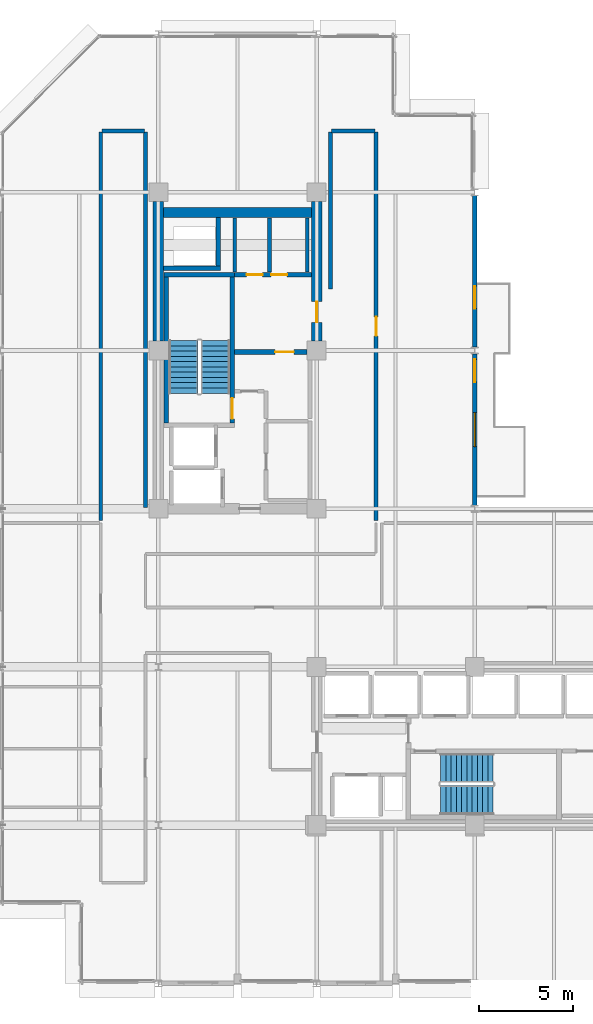
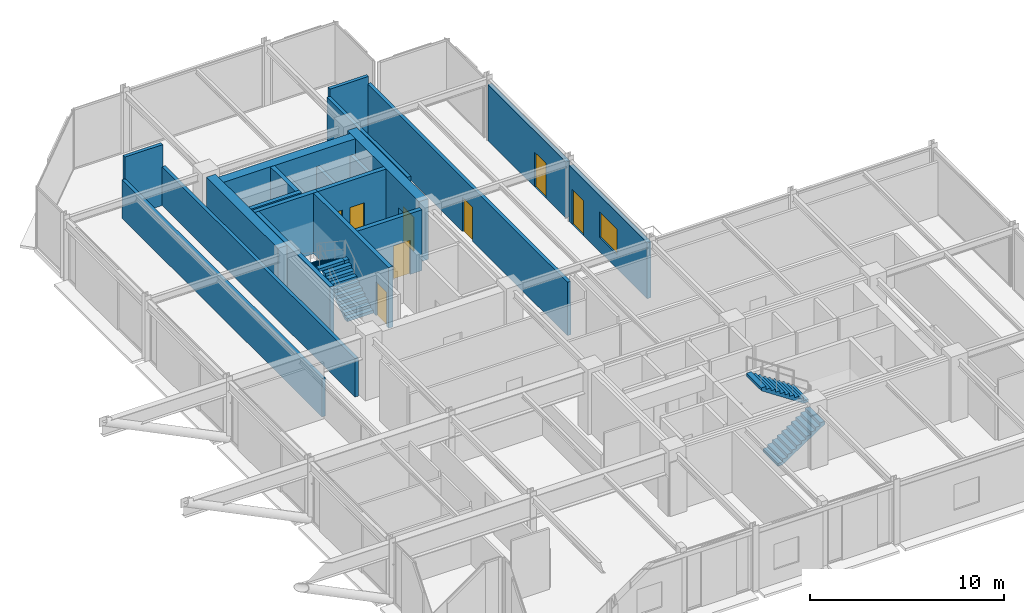
# One storey, part 27 of 30: 21 walls, 8 doors, 4 stair flights, 1 window, 9 openings, 2 elements without a shape of their own.
"""IFC4 building model written with IfcOpenShell, lengths in metres."""

from ifc_helpers import new_model, si_unit, direction, frame, frame_2d, origin, place, context, subcontext, project, spatial, polyline, rectangle, outline, extrude, material, layer, layer_set, type_object, element, fill, aggregate, save


model = new_model("IFC4")

# Units and contexts
model_context = context("Model", 3, precision=1e-05, world=origin(), true_north=direction((0.0, 1.0)))
body_context = subcontext(model_context, "Body", "Model", "MODEL_VIEW")
ifc_project = project(units=[si_unit("LENGTHUNIT", "METRE"), si_unit("AREAUNIT", "SQUARE_METRE"), si_unit("VOLUMEUNIT", "CUBIC_METRE"), si_unit("PLANEANGLEUNIT", "RADIAN"), si_unit("MASSUNIT", "GRAM", prefix="KILO")], contexts=[model_context])

# Site, building, storey
site_placement = place(None, origin())
site = spatial("IfcSite", under=ifc_project, at=site_placement, CompositionType="ELEMENT")
building_placement = place(site_placement, origin())
building = spatial("IfcBuilding", under=site, at=building_placement, Name="Nerrivon Quay Data Exchange", CompositionType="ELEMENT")
storey_placement = place(building_placement, frame((0.0, 0.0, 167.300048828125)))
storey = spatial("IfcBuildingStorey", under=building, at=storey_placement, Name="L39", CompositionType="ELEMENT", Elevation=167.300048828125)

# Wall, opening, door
ifc_material_1 = material(Name="Architectural terracotta precast concrete N50 (50 MPa)", Category="masonry")
ifc_layer_1 = layer(ifc_material_1, 0.239990234375)
ifc_layer_set_1 = layer_set([ifc_layer_1], Name="Architectural terracotta precast concrete N50 (50 MPa)")
wall_type_1 = type_object("IfcWallType", Name="EW-PREC-240", PredefinedType="STANDARD", material=ifc_layer_set_1)
wall_1_placement = place(storey_placement, frame((25.199951171875, 41.824951171875, 0.0), z_axis=(0.0, 0.0, 1.0), x_axis=(0.0, -1.0, 0.0)))
wall_1 = element("IfcWall", 1, at=wall_1_placement, inside=storey, type_object=wall_type_1, Name="L39 Terrace Host Wall 24", PredefinedType="STANDARD", context=body_context, shape_type="SweptSolid", body=[
    extrude(rectangle(XDim=8.050048828125, YDim=0.239990234375, at=frame_2d((4.02490234375, 0.0))), origin(), (0.0, 0.0, 1.0), 3.52490234375),
])
opening_1_placement = place(wall_1_placement, frame((4.800048828125, 0.0, 0.0)))
opening_1 = element("IfcOpeningElement", 2, at=opening_1_placement, cuts=wall_1, Name="Opening TD1", PredefinedType="OPENING", context=body_context, shape_type="SweptSolid", body=[
    extrude(rectangle(XDim=1.199951171875, YDim=2.199951171875, at=frame_2d((0.60009765625, 1.10009765625))), frame((0.0, 0.1298828125, 0.0), z_axis=(0.0, -1.0, 0.0), x_axis=(1.0, 0.0, 0.0)), (0.0, 0.0, 1.0), 0.260009765625),
])
ifc_material_2 = material(Name="Double-glazed low-E solar control glass", Category="glass")
door_type_1 = type_object("IfcDoorType", Name="DR-TERR-1200x2200", OperationType="NOTDEFINED", PredefinedType="DOOR", material=ifc_material_2)
door_1_placement = place(opening_1_placement, origin())
door_1 = element("IfcDoor", 3, at=door_1_placement, inside=storey, type_object=door_type_1, Name="L39 Outdoor Terrace Access Door 24", OperationType="SINGLE_SWING_LEFT", OverallHeight=2.199951171875, OverallWidth=1.199951171875, PredefinedType="DOOR", context=body_context, shape_type="SweptSolid", body=[
    extrude(rectangle(XDim=1.199951171875, YDim=2.199951171875, at=frame_2d((0.60009765625, 1.10009765625))), frame((0.0, 0.02490234375, 0.0), z_axis=(0.0, -1.0, 0.0), x_axis=(1.0, 0.0, 0.0)), (0.0, 0.0, 1.0), 0.050048828125),
])
fill(opening_1, door_1)

# Wall, openings, door, window
wall_2_placement = place(storey_placement, frame((25.199951171875, 33.425048828125, 0.0), z_axis=(0.0, 0.0, 1.0), x_axis=(0.0, -1.0, 0.0)))
wall_2 = element("IfcWall", 4, at=wall_2_placement, inside=storey, type_object=wall_type_1, Name="L39 Terrace Host Wall 25", PredefinedType="STANDARD", context=body_context, shape_type="SweptSolid", body=[
    extrude(rectangle(XDim=8.050048828125, YDim=0.239990234375, at=frame_2d((4.02490234375, 0.0))), origin(), (0.0, 0.0, 1.0), 3.52490234375),
])
opening_2_placement = place(wall_2_placement, frame((0.300048828125, 0.0, 0.0)))
opening_2 = element("IfcOpeningElement", 5, at=opening_2_placement, cuts=wall_2, Name="Opening TD1", PredefinedType="OPENING", context=body_context, shape_type="SweptSolid", body=[
    extrude(rectangle(XDim=1.199951171875, YDim=2.199951171875, at=frame_2d((0.60009765625, 1.10009765625))), frame((0.0, 0.1298828125, 0.0), z_axis=(0.0, -1.0, 0.0), x_axis=(1.0, 0.0, 0.0)), (0.0, 0.0, 1.0), 0.260009765625),
])
opening_3_placement = place(wall_2_placement, frame((3.125, 0.0, 0.89990234375)))
opening_3 = element("IfcOpeningElement", 6, at=opening_3_placement, cuts=wall_2, Name="Opening WN2", PredefinedType="OPENING", context=body_context, shape_type="SweptSolid", body=[
    extrude(rectangle(XDim=1.800048828125, YDim=1.60009765625, at=frame_2d((0.89990234375, 0.800048828125))), frame((0.0, 0.1298828125, 0.0), z_axis=(0.0, -1.0, 0.0), x_axis=(1.0, 0.0, 0.0)), (0.0, 0.0, 1.0), 0.260009765625),
])
door_2_placement = place(opening_2_placement, origin())
door_2 = element("IfcDoor", 7, at=door_2_placement, inside=storey, type_object=door_type_1, Name="L39 Outdoor Terrace Access Door 25", OperationType="SINGLE_SWING_RIGHT", OverallHeight=2.199951171875, OverallWidth=1.199951171875, PredefinedType="DOOR", context=body_context, shape_type="SweptSolid", body=[
    extrude(rectangle(XDim=1.199951171875, YDim=2.199951171875, at=frame_2d((0.60009765625, 1.10009765625))), frame((0.0, 0.02490234375, 0.0), z_axis=(0.0, -1.0, 0.0), x_axis=(1.0, 0.0, 0.0)), (0.0, 0.0, 1.0), 0.050048828125),
])
fill(opening_2, door_2)
window_type = type_object("IfcWindowType", Name="WIN-W2-1800x1600", PartitioningType="SINGLE_PANEL", PredefinedType="WINDOW", material=ifc_material_2)
window_placement = place(opening_3_placement, origin())
window = element("IfcWindow", 8, at=window_placement, inside=storey, type_object=window_type, Name="L39 Terrace Side Window 25", OverallHeight=1.60009765625, OverallWidth=1.800048828125, PartitioningType="SINGLE_PANEL", PredefinedType="WINDOW", context=body_context, shape_type="SweptSolid", body=[
    extrude(rectangle(XDim=1.800048828125, YDim=1.60009765625, at=frame_2d((0.89990234375, 0.800048828125))), frame((0.0, 0.030029296875, 0.0), z_axis=(0.0, -1.0, 0.0), x_axis=(1.0, 0.0, 0.0)), (0.0, 0.0, 1.0), 0.06005859375),
])
fill(opening_3, window)

# Walls
ifc_material_3 = material(Name="Concrete S65 (65 MPa)", Category="concrete")
ifc_layer_2 = layer(ifc_material_3, 0.550048828125)
ifc_layer_set_2 = layer_set([ifc_layer_2], Name="Concrete S65 (65 MPa)")
wall_type_2 = type_object("IfcWallType", Name="WALL-CW-700", PredefinedType="SHEAR", material=ifc_layer_set_2)
wall_3_placement = place(storey_placement, frame((8.39990234375, 34.10009765625, 0.0), z_axis=(0.0, 0.0, 1.0), x_axis=(0.0, 1.0, 0.0)))
element("IfcWall", 9, at=wall_3_placement, inside=storey, type_object=wall_type_2, Name="L39 West Split-Core Shear Wall WCW-W2", PredefinedType="SHEAR", context=body_context, shape_type="SweptSolid", body=[
    extrude(rectangle(XDim=7.39990234375, YDim=0.550048828125, at=frame_2d((3.699951171875, 0.0))), origin(), (0.0, 0.0, 1.0), 3.824951171875),
])
wall_4_placement = place(storey_placement, frame((8.675048828125, 40.925048828125, 0.0), z_axis=(0.0, 0.0, 1.0), x_axis=(1.0, 0.0, 0.0)))
element("IfcWall", 10, at=wall_4_placement, inside=storey, type_object=wall_type_2, Name="L39 West Split-Core Shear Wall WCW-N1", PredefinedType="SHEAR", context=body_context, shape_type="SweptSolid", body=[
    extrude(rectangle(XDim=7.849853515625, YDim=0.550048828125, at=frame_2d((3.9248046875, 0.0))), origin(), (0.0, 0.0, 1.0), 3.824951171875),
])

# Wall, opening, door
wall_5_placement = place(storey_placement, frame((16.800048828125, 34.10009765625, 0.0), z_axis=(0.0, 0.0, 1.0), x_axis=(0.0, 1.0, 0.0)))
wall_5 = element("IfcWall", 11, at=wall_5_placement, inside=storey, type_object=wall_type_2, Name="L39 West Split-Core Shear Wall WCW-E1", PredefinedType="SHEAR", context=body_context, shape_type="SweptSolid", body=[
    extrude(rectangle(XDim=7.39990234375, YDim=0.550048828125, at=frame_2d((3.699951171875, 0.0))), origin(), (0.0, 0.0, 1.0), 3.824951171875),
])
opening_4_placement = place(wall_5_placement, frame((1.0, 0.0, 0.0)))
opening_4 = element("IfcOpeningElement", 12, at=opening_4_placement, cuts=wall_5, Name="Opening FD-120", PredefinedType="OPENING", context=body_context, shape_type="SweptSolid", body=[
    extrude(rectangle(XDim=1.10009765625, YDim=2.14990234375, at=frame_2d((0.550048828125, 1.074951171875))), frame((0.0, 0.284912109375, 0.0), z_axis=(0.0, -1.0, 0.0), x_axis=(1.0, 0.0, 0.0)), (0.0, 0.0, 1.0), 0.570068359375),
])
ifc_material_4 = material(Name="Powder-coated galvanized steel sheet", Category="steel")
door_type_2 = type_object("IfcDoorType", Name="DR-FD120-1100", OperationType="NOTDEFINED", PredefinedType="DOOR", material=ifc_material_4)
door_3_placement = place(opening_4_placement, origin())
door_3 = element("IfcDoor", 13, at=door_3_placement, inside=storey, type_object=door_type_2, Name="L39 West Core Lobby Fire Door", OperationType="SINGLE_SWING_RIGHT", OverallHeight=2.14990234375, OverallWidth=1.10009765625, PredefinedType="DOOR", context=body_context, shape_type="SweptSolid", body=[
    extrude(rectangle(XDim=1.10009765625, YDim=2.14990234375, at=frame_2d((0.550048828125, 1.074951171875))), frame((0.0, 0.02490234375, 0.0), z_axis=(0.0, -1.0, 0.0), x_axis=(1.0, 0.0, 0.0)), (0.0, 0.0, 1.0), 0.050048828125),
])
fill(opening_4, door_3)

# Walls
ifc_material_5 = material(Name="Gypsum plasterboard on cold-formed framing", Category="gypsum")
ifc_layer_3 = layer(ifc_material_5, 0.199951171875)
ifc_layer_set_3 = layer_set([ifc_layer_3], Name="Gypsum plasterboard on cold-formed framing")
wall_type_3 = type_object("IfcWallType", Name="WALL-FW-200", PredefinedType="PARTITIONING", material=ifc_layer_set_3)
for number, where, z_axis, x_axis, name in (
    (14, (14.300048828125, 37.780029296875, 0.0), (0.0, 0.0, 1.0), (0.0, 1.0, 0.0), "L39 Partition Cleaners Store"),
    (15, (12.449951171875, 40.64599609375, 0.0), (0.0, 0.0, 1.0), (0.0, -1.0, 0.0), "L39 Partition Cleaners Store"),
    (16, (16.300048828125, 37.780029296875, 0.0), (0.0, 0.0, 1.0), (0.0, 1.0, 0.0), "L39 Partition Janitor Closet"),
):
    element("IfcWall", number, at=place(storey_placement, frame(where, z_axis=z_axis, x_axis=x_axis)), inside=storey, type_object=wall_type_3, Name=name, PredefinedType="PARTITIONING", context=body_context, shape_type="SweptSolid", body=[
        extrude(rectangle(XDim=2.865966796875, YDim=0.199951171875, at=frame_2d((1.43310546875, 0.0))), origin(), (0.0, 0.0, 1.0), 2.875),
    ])

# Wall, opening, door
wall_6_placement = place(storey_placement, frame((19.9599609375, 45.199951171875, 0.0), z_axis=(0.0, 0.0, 1.0), x_axis=(0.0, -1.0, 0.0)))
wall_6 = element("IfcWall", 17, at=wall_6_placement, inside=storey, type_object=wall_type_3, Name="L39 Partition Colocation Data Workspace 1", PredefinedType="PARTITIONING", context=body_context, shape_type="SweptSolid", body=[
    extrude(rectangle(XDim=20.638427734375, YDim=0.199951171875, at=frame_2d((10.3193359375, 0.0))), origin(), (0.0, 0.0, 1.0), 3.364990234375),
])
opening_5_placement = place(wall_6_placement, frame((9.819091796875, 0.0, 0.0)))
opening_5 = element("IfcOpeningElement", 18, at=opening_5_placement, cuts=wall_6, Name="Opening FD-60", PredefinedType="OPENING", context=body_context, shape_type="SweptSolid", body=[
    extrude(rectangle(XDim=1.0, YDim=2.14990234375, at=frame_2d((0.5, 1.074951171875))), frame((0.0, 0.10986328125, 0.0), z_axis=(0.0, -1.0, 0.0), x_axis=(1.0, 0.0, 0.0)), (0.0, 0.0, 1.0), 0.219970703125),
])
ifc_material_6 = material(Name="Engineered hardwood timber", Category="wood")
door_type_3 = type_object("IfcDoorType", Name="DR-FD60-1000", OperationType="NOTDEFINED", PredefinedType="DOOR", material=ifc_material_6)
door_4_placement = place(opening_5_placement, origin())
door_4 = element("IfcDoor", 19, at=door_4_placement, inside=storey, type_object=door_type_3, Name="L39 Door Colocation Data Workspace 1", OperationType="SINGLE_SWING_LEFT", OverallHeight=2.14990234375, OverallWidth=1.0, PredefinedType="DOOR", context=body_context, shape_type="SweptSolid", body=[
    extrude(rectangle(XDim=1.0, YDim=2.14990234375, at=frame_2d((0.5, 1.074951171875))), frame((0.0, 0.02490234375, 0.0), z_axis=(0.0, -1.0, 0.0), x_axis=(1.0, 0.0, 0.0)), (0.0, 0.0, 1.0), 0.050048828125),
])
fill(opening_5, door_4)

# Walls
wall_7_placement = place(storey_placement, frame((5.340087890625, 24.5615234375, 0.0), z_axis=(0.0, 0.0, 1.0), x_axis=(0.0, 1.0, 0.0)))
element("IfcWall", 20, at=wall_7_placement, inside=storey, type_object=wall_type_3, Name="L39 Partition Colocation Data Workspace 1", PredefinedType="PARTITIONING", context=body_context, shape_type="SweptSolid", body=[
    extrude(rectangle(XDim=20.638427734375, YDim=0.199951171875, at=frame_2d((10.3193359375, 0.0))), origin(), (0.0, 0.0, 1.0), 2.425048828125),
])
wall_8_placement = place(storey_placement, frame((5.39990234375, 45.260009765625, 0.0), z_axis=(0.0, 0.0, 1.0), x_axis=(1.0, 0.0, 0.0)))
element("IfcWall", 21, at=wall_8_placement, inside=storey, type_object=wall_type_3, Name="L39 Partition Colocation Data Workspace 1", PredefinedType="PARTITIONING", context=body_context, shape_type="SweptSolid", body=[
    extrude(rectangle(XDim=2.25, YDim=0.199951171875, at=frame_2d((1.125, 0.0))), origin(), (0.0, 0.0, 1.0), 3.824951171875),
])
wall_9_placement = place(storey_placement, frame((7.709716796875, 45.205810546875, 0.0), z_axis=(0.0, 0.0, 1.0), x_axis=(1.2240202e-05, -0.999999999925, 0.0)))
element("IfcWall", 22, at=wall_9_placement, inside=storey, type_object=wall_type_3, Name="L39 Partition Colocation Data Workspace 1", PredefinedType="PARTITIONING", context=body_context, shape_type="SweptSolid", body=[
    extrude(rectangle(XDim=19.94580078125, YDim=0.199951171875, at=frame_2d((9.972900390625, 0.0))), origin(), (0.0, 0.0, 1.0), 2.425048828125),
])
wall_10_placement = place(storey_placement, frame((17.5400390625, 36.860107421875, 0.0), z_axis=(0.0, 0.0, 1.0), x_axis=(0.0, 1.0, 0.0)))
element("IfcWall", 23, at=wall_10_placement, inside=storey, type_object=wall_type_3, Name="L39 Partition Colocation Data Workspace 1", PredefinedType="PARTITIONING", context=body_context, shape_type="SweptSolid", body=[
    extrude(rectangle(XDim=8.33984375, YDim=0.199951171875, at=frame_2d((4.169921875, 0.0))), origin(), (0.0, 0.0, 1.0), 3.364990234375),
])
wall_11_placement = place(storey_placement, frame((17.60009765625, 45.260009765625, 0.0), z_axis=(0.0, 0.0, 1.0), x_axis=(1.0, 0.0, 0.0)))
element("IfcWall", 24, at=wall_11_placement, inside=storey, type_object=wall_type_3, Name="L39 Partition Colocation Data Workspace 1", PredefinedType="PARTITIONING", context=body_context, shape_type="SweptSolid", body=[
    extrude(rectangle(XDim=2.2998046875, YDim=0.199951171875, at=frame_2d((1.14990234375, 0.0))), origin(), (0.0, 0.0, 1.0), 3.824951171875),
])
ifc_material_7 = material(Name="Concrete N50 (50 MPa)", Category="concrete")
ifc_layer_4 = layer(ifc_material_7, 0.25)
ifc_layer_set_4 = layer_set([ifc_layer_4], Name="Concrete N50 (50 MPa)")
wall_type_4 = type_object("IfcWallType", Name="WALL-SW-250", PredefinedType="SHEAR", material=ifc_layer_set_4)
wall_12_placement = place(storey_placement, frame((12.449951171875, 37.625, 0.0), z_axis=(0.0, 0.0, 1.0), x_axis=(-1.0, 0.0, 0.0)))
element("IfcWall", 25, at=wall_12_placement, inside=storey, type_object=wall_type_4, Name="L39 ST01 Structural Stair Core Wall FAR", PredefinedType="SHEAR", context=body_context, shape_type="SweptSolid", body=[
    extrude(rectangle(XDim=3.75, YDim=0.25, at=frame_2d((1.875, 0.0))), origin(), (0.0, 0.0, 1.0), 3.824951171875),
])

# Wall, opening, door
wall_13_placement = place(storey_placement, frame((12.324951171875, 29.75, 0.0), z_axis=(0.0, 0.0, 1.0), x_axis=(0.0, 1.0, 0.0)))
wall_13 = element("IfcWall", 26, at=wall_13_placement, inside=storey, type_object=wall_type_4, Name="L39 ST01 Structural Stair Core Wall LEFT", PredefinedType="SHEAR", context=body_context, shape_type="SweptSolid", body=[
    extrude(rectangle(XDim=7.75, YDim=0.25, at=frame_2d((3.875, 0.0))), origin(), (0.0, 0.0, 1.0), 3.824951171875),
])
opening_6_placement = place(wall_13_placement, frame((0.219970703125, 0.0, 0.0)))
opening_6 = element("IfcOpeningElement", 27, at=opening_6_placement, cuts=wall_13, Name="Opening FD-120", PredefinedType="OPENING", context=body_context, shape_type="SweptSolid", body=[
    extrude(rectangle(XDim=1.10009765625, YDim=2.14990234375, at=frame_2d((0.550048828125, 1.074951171875))), frame((0.0, 0.135009765625, 0.0), z_axis=(0.0, -1.0, 0.0), x_axis=(1.0, 0.0, 0.0)), (0.0, 0.0, 1.0), 0.27001953125),
])
door_5_placement = place(opening_6_placement, origin())
door_5 = element("IfcDoor", 28, at=door_5_placement, inside=storey, type_object=door_type_2, Name="L39 Protected Stair Door ST01", OperationType="SINGLE_SWING_RIGHT", OverallHeight=2.14990234375, OverallWidth=1.10009765625, PredefinedType="DOOR", context=body_context, shape_type="SweptSolid", body=[
    extrude(rectangle(XDim=1.10009765625, YDim=2.14990234375, at=frame_2d((0.550048828125, 1.074951171875))), frame((0.0, 0.02490234375, 0.0), z_axis=(0.0, -1.0, 0.0), x_axis=(1.0, 0.0, 0.0)), (0.0, 0.0, 1.0), 0.050048828125),
])
fill(opening_6, door_5)

# Walls
wall_14_placement = place(storey_placement, frame((8.824951171875, 29.75, 0.0), z_axis=(0.0, 0.0, 1.0), x_axis=(0.0, 1.0, 0.0)))
element("IfcWall", 29, at=wall_14_placement, inside=storey, type_object=wall_type_4, Name="L39 ST01 Structural Stair Core Wall RIGHT", PredefinedType="SHEAR", context=body_context, shape_type="SweptSolid", body=[
    extrude(rectangle(XDim=7.75, YDim=0.25, at=frame_2d((3.875, 0.0))), origin(), (0.0, 0.0, 1.0), 3.824951171875),
])
wall_15_placement = place(storey_placement, frame((8.675048828125, 37.97509765625, 0.0), z_axis=(0.0, 0.0, 1.0), x_axis=(1.0, 0.0, 0.0)))
element("IfcWall", 30, at=wall_15_placement, inside=storey, type_object=wall_type_4, Name="L39 West Core MEP Riser Shaft Wall S", PredefinedType="SHEAR", context=body_context, shape_type="SweptSolid", body=[
    extrude(rectangle(XDim=3.02490234375, YDim=0.25, at=frame_2d((1.512451171875, 0.0))), origin(), (0.0, 0.0, 1.0), 3.824951171875),
])
wall_16_placement = place(storey_placement, frame((11.574951171875, 38.10009765625, 0.0), z_axis=(0.0, 0.0, 1.0), x_axis=(0.0, 1.0, 0.0)))
element("IfcWall", 31, at=wall_16_placement, inside=storey, type_object=wall_type_4, Name="L39 West Core MEP Riser Shaft Wall E", PredefinedType="SHEAR", context=body_context, shape_type="SweptSolid", body=[
    extrude(rectangle(XDim=2.5498046875, YDim=0.25, at=frame_2d((1.27490234375, 0.0))), origin(), (0.0, 0.0, 1.0), 3.824951171875),
])

# Wall, opening, door
wall_17_placement = place(storey_placement, frame((12.449951171875, 33.52001953125, 0.0), z_axis=(0.0, 0.0, 1.0), x_axis=(1.0, 0.0, 0.0)))
wall_17 = element("IfcWall", 32, at=wall_17_placement, inside=storey, type_object=wall_type_4, Name="L39 West Lobby Smoke-Stop Wall", PredefinedType="SHEAR", context=body_context, shape_type="SweptSolid", body=[
    extrude(rectangle(XDim=3.85009765625, YDim=0.25, at=frame_2d((1.925048828125, 0.0))), origin(), (0.0, 0.0, 1.0), 3.824951171875),
])
opening_7_placement = place(wall_17_placement, frame((2.14990234375, 0.0, 0.0)))
opening_7 = element("IfcOpeningElement", 33, at=opening_7_placement, cuts=wall_17, Name="Opening FD-60", PredefinedType="OPENING", context=body_context, shape_type="SweptSolid", body=[
    extrude(rectangle(XDim=1.0, YDim=2.14990234375, at=frame_2d((0.5, 1.074951171875))), frame((0.0, 0.135009765625, 0.0), z_axis=(0.0, -1.0, 0.0), x_axis=(1.0, 0.0, 0.0)), (0.0, 0.0, 1.0), 0.27001953125),
])
door_6_placement = place(opening_7_placement, origin())
door_6 = element("IfcDoor", 34, at=door_6_placement, inside=storey, type_object=door_type_3, Name="L39 West Firefighting Lobby Fire Door", OperationType="SINGLE_SWING_RIGHT", OverallHeight=2.14990234375, OverallWidth=1.0, PredefinedType="DOOR", context=body_context, shape_type="SweptSolid", body=[
    extrude(rectangle(XDim=1.0, YDim=2.14990234375, at=frame_2d((0.5, 1.074951171875))), frame((0.0, 0.02490234375, 0.0), z_axis=(0.0, -1.0, 0.0), x_axis=(1.0, 0.0, 0.0)), (0.0, 0.0, 1.0), 0.050048828125),
])
fill(opening_7, door_6)

# Wall, openings, doors
wall_18_placement = place(storey_placement, frame((12.449951171875, 37.625, 0.0), z_axis=(0.0, 0.0, 1.0), x_axis=(1.0, 0.0, 0.0)))
wall_18 = element("IfcWall", 35, at=wall_18_placement, inside=storey, type_object=wall_type_4, Name="L39 West Firefighting Lobby Wall", PredefinedType="SHEAR", context=body_context, shape_type="SweptSolid", body=[
    extrude(rectangle(XDim=4.074951171875, YDim=0.25, at=frame_2d((2.03759765625, 0.0))), origin(), (0.0, 0.0, 1.0), 3.824951171875),
])
opening_8_placement = place(wall_18_placement, frame((0.634521484375, 0.0, 0.0)))
opening_8 = element("IfcOpeningElement", 36, at=opening_8_placement, cuts=wall_18, Name="Opening FD-60S", PredefinedType="OPENING", context=body_context, shape_type="SweptSolid", body=[
    extrude(rectangle(XDim=0.85009765625, YDim=2.14990234375, at=frame_2d((0.425048828125, 1.074951171875))), frame((0.0, 0.135009765625, 0.0), z_axis=(0.0, -1.0, 0.0), x_axis=(1.0, 0.0, 0.0)), (0.0, 0.0, 1.0), 0.27001953125),
])
opening_9_placement = place(wall_18_placement, frame((1.9384765625, 0.0, 0.0)))
opening_9 = element("IfcOpeningElement", 37, at=opening_9_placement, cuts=wall_18, Name="Opening FD-60S", PredefinedType="OPENING", context=body_context, shape_type="SweptSolid", body=[
    extrude(rectangle(XDim=0.85009765625, YDim=2.14990234375, at=frame_2d((0.425048828125, 1.074951171875))), frame((0.0, 0.135009765625, 0.0), z_axis=(0.0, -1.0, 0.0), x_axis=(1.0, 0.0, 0.0)), (0.0, 0.0, 1.0), 0.27001953125),
])
door_type_4 = type_object("IfcDoorType", Name="DR-FD60-850", OperationType="NOTDEFINED", PredefinedType="DOOR", material=ifc_material_6)
door_7_placement = place(opening_8_placement, origin())
door_7 = element("IfcDoor", 38, at=door_7_placement, inside=storey, type_object=door_type_4, Name="L39 Door Cleaners Store", OperationType="SINGLE_SWING_RIGHT", OverallHeight=2.14990234375, OverallWidth=0.85009765625, PredefinedType="DOOR", context=body_context, shape_type="SweptSolid", body=[
    extrude(rectangle(XDim=0.85009765625, YDim=2.14990234375, at=frame_2d((0.425048828125, 1.074951171875))), frame((0.0, 0.02490234375, 0.0), z_axis=(0.0, -1.0, 0.0), x_axis=(1.0, 0.0, 0.0)), (0.0, 0.0, 1.0), 0.050048828125),
])
fill(opening_8, door_7)
door_8_placement = place(opening_9_placement, origin())
door_8 = element("IfcDoor", 39, at=door_8_placement, inside=storey, type_object=door_type_4, Name="L39 Door Janitor Closet", OperationType="SINGLE_SWING_LEFT", OverallHeight=2.14990234375, OverallWidth=0.85009765625, PredefinedType="DOOR", context=body_context, shape_type="SweptSolid", body=[
    extrude(rectangle(XDim=0.85009765625, YDim=2.14990234375, at=frame_2d((0.425048828125, 1.074951171875))), frame((0.0, 0.02490234375, 0.0), z_axis=(0.0, -1.0, 0.0), x_axis=(1.0, 0.0, 0.0)), (0.0, 0.0, 1.0), 0.050048828125),
])
fill(opening_9, door_8)

# Stair, stair flights
stair_type = type_object("IfcStairType", Name="STAIR-DOG-41", PredefinedType="HALF_TURN_STAIR", material=ifc_material_7)
stair_1_placement = place(storey_placement, origin())
stair_1 = element("IfcStair", 40, at=stair_1_placement, inside=storey, type_object=stair_type, Name="L39 West Core Fire Stair ST01", PredefinedType="HALF_TURN_STAIR")
stair_flight_type = type_object("IfcStairFlightType", Name="FLIGHT-DOG-41", PredefinedType="STRAIGHT", material=ifc_material_7)
stair_flight_1_placement = place(storey_placement, frame((11.425048828125, 31.330078125, 0.0), z_axis=(0.0, 0.0, 1.0), x_axis=(0.0, 1.0, 0.0)))
stair_flight_1 = element("IfcStairFlight", 41, at=stair_flight_1_placement, type_object=stair_flight_type, Name="ST01 flight 1", NumberOfRisers=11, NumberOfTreads=10, PredefinedType="STRAIGHT", RiserHeight=0.186363636, TreadLength=0.28, context=body_context, shape_type="SweptSolid", body=[
    extrude(outline(polyline([(0.0, 0.0), (0.0, 0.186279296875), (0.280029296875, 0.186279296875), (0.280029296875, 0.372802734375), (0.56005859375, 0.372802734375), (0.56005859375, 0.55908203125), (0.840087890625, 0.55908203125), (0.840087890625, 0.745361328125), (1.1201171875, 0.745361328125), (1.1201171875, 0.931884765625), (1.39990234375, 0.931884765625), (1.39990234375, 1.1181640625), (1.679931640625, 1.1181640625), (1.679931640625, 1.304443359375), (1.9599609375, 1.304443359375), (1.9599609375, 1.490966796875), (2.239990234375, 1.490966796875), (2.239990234375, 1.67724609375), (2.52001953125, 1.67724609375), (2.52001953125, 1.863525390625), (2.800048828125, 1.863525390625), (2.800048828125, 2.050048828125), (2.800048828125, 1.68359375), (0.2705078125, 0.0), (0.0, 0.0)])), frame((0.0, 0.77490234375, 0.0), z_axis=(0.0, -1.0, 0.0), x_axis=(1.0, 0.0, 0.0)), (0.0, 0.0, 1.0), 1.550048828125),
])
stair_flight_2_placement = place(storey_placement, frame((9.72509765625, 34.1298828125, 2.050048828125), z_axis=(0.0, 0.0, 1.0), x_axis=(0.0, -1.0, 0.0)))
stair_flight_2 = element("IfcStairFlight", 42, at=stair_flight_2_placement, type_object=stair_flight_type, Name="ST01 flight 2", NumberOfRisers=11, NumberOfTreads=10, PredefinedType="STRAIGHT", RiserHeight=0.186363636, TreadLength=0.28, context=body_context, shape_type="SweptSolid", body=[
    extrude(outline(polyline([(0.0, 0.0), (0.0, 0.186279296875), (0.280029296875, 0.186279296875), (0.280029296875, 0.372802734375), (0.56005859375, 0.372802734375), (0.56005859375, 0.55908203125), (0.840087890625, 0.55908203125), (0.840087890625, 0.745361328125), (1.1201171875, 0.745361328125), (1.1201171875, 0.931884765625), (1.39990234375, 0.931884765625), (1.39990234375, 1.1181640625), (1.679931640625, 1.1181640625), (1.679931640625, 1.304443359375), (1.9599609375, 1.304443359375), (1.9599609375, 1.490966796875), (2.239990234375, 1.490966796875), (2.239990234375, 1.67724609375), (2.52001953125, 1.67724609375), (2.52001953125, 1.863525390625), (2.800048828125, 1.863525390625), (2.800048828125, 2.050048828125), (2.800048828125, 1.68359375), (0.2705078125, 0.0), (0.0, 0.0)])), frame((0.0, 0.77490234375, 0.0), z_axis=(0.0, -1.0, 0.0), x_axis=(1.0, 0.0, 0.0)), (0.0, 0.0, 1.0), 1.550048828125),
])
aggregate(stair_1, [stair_flight_1, stair_flight_2])

stair_2_placement = place(storey_placement, origin())
stair_2 = element("IfcStair", 43, at=stair_2_placement, inside=storey, type_object=stair_type, Name="L39 East Core Fire Stair ST02", PredefinedType="HALF_TURN_STAIR")
stair_flight_3_placement = place(storey_placement, frame((23.3798828125, 9.72509765625, 0.0), z_axis=(0.0, 0.0, 1.0), x_axis=(1.0, 0.0, 0.0)))
stair_flight_3 = element("IfcStairFlight", 44, at=stair_flight_3_placement, type_object=stair_flight_type, Name="ST02 flight 1", NumberOfRisers=11, NumberOfTreads=10, PredefinedType="STRAIGHT", RiserHeight=0.186363636, TreadLength=0.28, context=body_context, shape_type="SweptSolid", body=[
    extrude(outline(polyline([(0.0, 0.0), (0.0, 0.186279296875), (0.280029296875, 0.186279296875), (0.280029296875, 0.372802734375), (0.56005859375, 0.372802734375), (0.56005859375, 0.55908203125), (0.840087890625, 0.55908203125), (0.840087890625, 0.745361328125), (1.1201171875, 0.745361328125), (1.1201171875, 0.931884765625), (1.39990234375, 0.931884765625), (1.39990234375, 1.1181640625), (1.679931640625, 1.1181640625), (1.679931640625, 1.304443359375), (1.9599609375, 1.304443359375), (1.9599609375, 1.490966796875), (2.239990234375, 1.490966796875), (2.239990234375, 1.67724609375), (2.52001953125, 1.67724609375), (2.52001953125, 1.863525390625), (2.800048828125, 1.863525390625), (2.800048828125, 2.050048828125), (2.800048828125, 1.68359375), (0.2705078125, 0.0), (0.0, 0.0)])), frame((0.0, 0.77490234375, 0.0), z_axis=(0.0, -1.0, 0.0), x_axis=(1.0, 0.0, 0.0)), (0.0, 0.0, 1.0), 1.550048828125),
])
stair_flight_4_placement = place(storey_placement, frame((26.179931640625, 11.425048828125, 2.050048828125), z_axis=(0.0, 0.0, 1.0), x_axis=(-1.0, 0.0, 0.0)))
stair_flight_4 = element("IfcStairFlight", 45, at=stair_flight_4_placement, type_object=stair_flight_type, Name="ST02 flight 2", NumberOfRisers=11, NumberOfTreads=10, PredefinedType="STRAIGHT", RiserHeight=0.186363636, TreadLength=0.28, context=body_context, shape_type="SweptSolid", body=[
    extrude(outline(polyline([(0.0, 0.0), (0.0, 0.186279296875), (0.280029296875, 0.186279296875), (0.280029296875, 0.372802734375), (0.56005859375, 0.372802734375), (0.56005859375, 0.55908203125), (0.840087890625, 0.55908203125), (0.840087890625, 0.745361328125), (1.1201171875, 0.745361328125), (1.1201171875, 0.931884765625), (1.39990234375, 0.931884765625), (1.39990234375, 1.1181640625), (1.679931640625, 1.1181640625), (1.679931640625, 1.304443359375), (1.9599609375, 1.304443359375), (1.9599609375, 1.490966796875), (2.239990234375, 1.490966796875), (2.239990234375, 1.67724609375), (2.52001953125, 1.67724609375), (2.52001953125, 1.863525390625), (2.800048828125, 1.863525390625), (2.800048828125, 2.050048828125), (2.800048828125, 1.68359375), (0.2705078125, 0.0), (0.0, 0.0)])), frame((0.0, 0.77490234375, 0.0), z_axis=(0.0, -1.0, 0.0), x_axis=(1.0, 0.0, 0.0)), (0.0, 0.0, 1.0), 1.550048828125),
])
aggregate(stair_2, [stair_flight_3, stair_flight_4])

save(model, "model.ifc")
